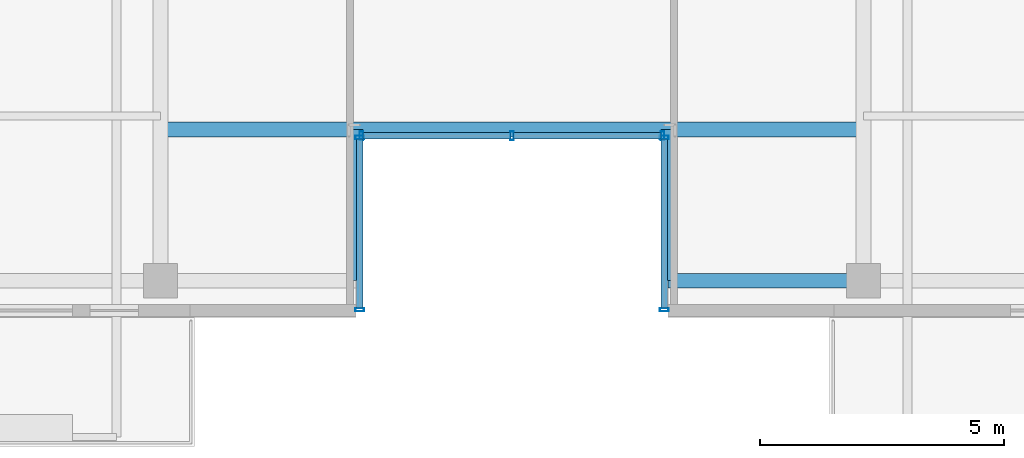
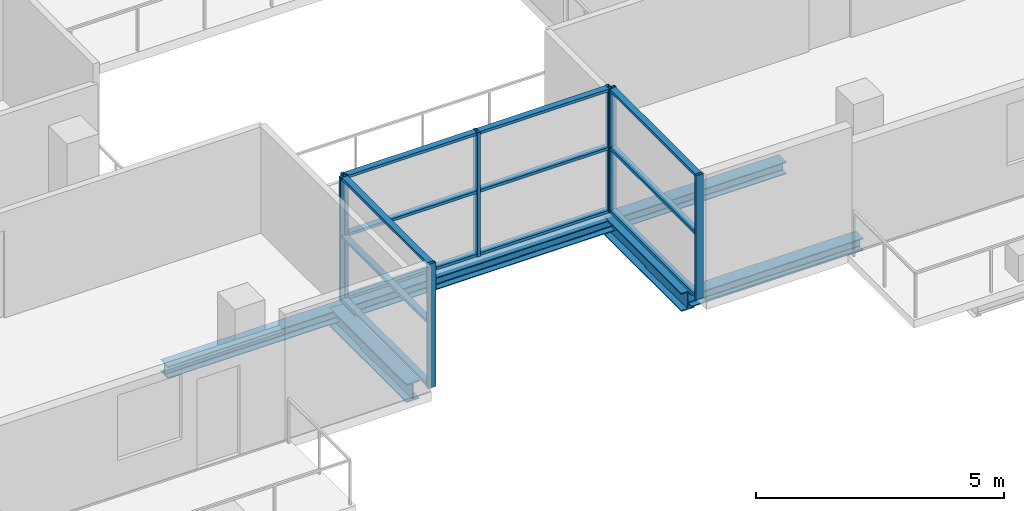
# One storey, part 5 of 22: 19 members, 4 beams, 3 elements without a shape of their own.
"""IFC4 building model written with IfcOpenShell, lengths in metres."""

from ifc_helpers import new_model, si_unit, direction, frame, origin, origin_2d, place, context, subcontext, project, spatial, hollow_rectangle, i_section, extrude, source, transform, mapped, material, layer, layer_set, material_profile, profile_set, type_object, element, aggregate, save


model = new_model("IFC4")

# Units and contexts
model_context = context("Model", 3, precision=1e-05, world=origin(), true_north=direction((0.0, 1.0)))
body_context = subcontext(model_context, "Body", "Model", "MODEL_VIEW")
ifc_project = project(units=[si_unit("LENGTHUNIT", "METRE"), si_unit("AREAUNIT", "SQUARE_METRE"), si_unit("VOLUMEUNIT", "CUBIC_METRE"), si_unit("PLANEANGLEUNIT", "RADIAN"), si_unit("MASSUNIT", "GRAM", prefix="KILO")], contexts=[model_context])

# Site, building, storey
site_placement = place(None, origin())
site = spatial("IfcSite", under=ifc_project, at=site_placement, CompositionType="ELEMENT")
building_placement = place(site_placement, origin())
building = spatial("IfcBuilding", under=site, at=building_placement, Name="Zarnakvel Exchange Tower", CompositionType="ELEMENT")
storey_placement = place(building_placement, frame((0.0, 0.0, 251.800048828125)))
storey = spatial("IfcBuildingStorey", under=building, at=storey_placement, Name="L71", CompositionType="ELEMENT", Elevation=251.800048828125)

# Beams
ifc_material_1 = material(Name="Steel S355", Category="steel")
ifc_material_profile_1 = material_profile(ifc_material_1, i_section(OverallWidth=0.300048828125, OverallDepth=0.449951171875, WebThickness=0.013916015625, FlangeThickness=0.02587890625, FilletRadius=0.027099609375, at=origin_2d()))
ifc_profile_set_1 = profile_set([ifc_material_profile_1], Name="Steel S355")
beam_type_1 = type_object("IfcBeamType", Name="G-07", PredefinedType="BEAM", material=ifc_profile_set_1)
for number, where, z_axis, x_axis, name in (
    (1, (-3.199951171875, -16.35009765625, -0.449951171875), (0.0, 1.0, 0.0), (-1.0, 0.0, 0.0), "L71 South Slot West Cheek Beam"),
    (2, (3.199951171875, -16.35009765625, -0.449951171875), (0.0, 1.0, 0.0), (-1.0, 0.0, 0.0), "L71 South Slot East Cheek Beam"),
):
    element("IfcBeam", number, at=place(storey_placement, frame(where, z_axis=z_axis, x_axis=x_axis)), inside=storey, type_object=beam_type_1, Name=name, PredefinedType="BEAM", context=body_context, shape_type="SweptSolid", body=[
        extrude(i_section(OverallWidth=0.300048828125, OverallDepth=0.449951171875, WebThickness=0.013916015625, FlangeThickness=0.02587890625, FilletRadius=0.027099609375, at=origin_2d()), origin(), (0.0, 0.0, 1.0), 3.10009765625),
    ])
ifc_material_profile_2 = material_profile(ifc_material_1, i_section(OverallWidth=0.300048828125, OverallDepth=0.300048828125, WebThickness=0.010986328125, FlangeThickness=0.01904296875, FilletRadius=0.027099609375, at=origin_2d()))
ifc_profile_set_2 = profile_set([ifc_material_profile_2], Name="Steel S355")
beam_type_2 = type_object("IfcBeamType", Name="SP-03", PredefinedType="SPANDREL", material=ifc_profile_set_2)
beam_1_placement = place(storey_placement, frame((3.199951171875, -16.35009765625, -0.375), z_axis=(1.0, 0.0, 0.0), x_axis=(0.0, 1.0, 0.0)))
element("IfcBeam", 3, at=beam_1_placement, inside=storey, type_object=beam_type_2, Name="L71 South Slot East Jamb Spandrel", PredefinedType="SPANDREL", context=body_context, shape_type="SweptSolid", body=[
    extrude(i_section(OverallWidth=0.300048828125, OverallDepth=0.300048828125, WebThickness=0.010986328125, FlangeThickness=0.01904296875, FilletRadius=0.027099609375, at=origin_2d()), origin(), (0.0, 0.0, 1.0), 4.0),
])
beam_2_placement = place(storey_placement, frame((-7.199951171875, -13.25, -0.375), z_axis=(1.0, 0.0, 0.0), x_axis=(0.0, 1.0, 0.0)))
element("IfcBeam", 4, at=beam_2_placement, inside=storey, type_object=beam_type_2, Name="L71 South Slot Head Trimmer Girder", PredefinedType="SPANDREL", context=body_context, shape_type="SweptSolid", body=[
    extrude(i_section(OverallWidth=0.300048828125, OverallDepth=0.300048828125, WebThickness=0.010986328125, FlangeThickness=0.01904296875, FilletRadius=0.027099609375, at=origin_2d()), origin(), (0.0, 0.0, 1.0), 14.39990234375),
])

# Curtain wall, members
ifc_material_2 = material(Name="Architectural Bronze Anodised Aluminium", Category="aluminium")
ifc_layer = layer(ifc_material_2, 0.179931640625)
ifc_layer_set = layer_set([ifc_layer], Name="Architectural Bronze Anodised Aluminium")
curtain_wall_type = type_object("IfcCurtainWallType", Name="CW-05", PredefinedType="NOTDEFINED", material=ifc_layer_set)
curtain_wall_1_placement = place(storey_placement, origin())
curtain_wall_1 = element("IfcCurtainWall", 5, at=curtain_wall_1_placement, inside=storey, type_object=curtain_wall_type, Name="L71 Curtain Wall CW-L71-SLW (CW-05)", PredefinedType="NOTDEFINED")
ifc_material_profile_3 = material_profile(ifc_material_2, hollow_rectangle(XDim=0.139892578125, YDim=0.070068359375, WallThickness=0.00390625, at=origin_2d()))
ifc_profile_set_3 = profile_set([ifc_material_profile_3], Name="Architectural Bronze Anodised Aluminium")
member_type_1 = type_object("IfcMemberType", Name="CWT-05", PredefinedType="USERDEFINED", material=ifc_profile_set_3)
shared_shape_1 = source(origin(), body_context, "Body", "SweptSolid", [
    extrude(hollow_rectangle(XDim=0.139892578125, YDim=0.070068359375, WallThickness=0.00390625, at=origin_2d()), origin(), (0.0, 0.0, 1.0), 3.4599609375),
])
member_1_placement = place(storey_placement, frame((-3.1201171875, -16.909912109375, 0.034912109375), z_axis=(0.0, 1.0, 0.0), x_axis=(-1.0, 0.0, 0.0)))
member_1 = element("IfcMember", 6, at=member_1_placement, type_object=member_type_1, Name="CW-05 transom 1.1", ObjectType="TRANSOM", PredefinedType="USERDEFINED", context=body_context, shape_type="MappedRepresentation", body=[
    mapped(shared_shape_1, transform((0.0, 0.0, 0.0), x_axis=(1.0, 0.0, 0.0), y_axis=(0.0, 1.0, 0.0), z_axis=(0.0, 0.0, 1.0), scale=1.0)),
])
member_2_placement = place(storey_placement, frame((-3.1201171875, -16.909912109375, 1.588623046875), z_axis=(0.0, 1.0, 0.0), x_axis=(-1.0, 0.0, 0.0)))
member_2 = element("IfcMember", 7, at=member_2_placement, type_object=member_type_1, Name="CW-05 transom 1.2", ObjectType="TRANSOM", PredefinedType="USERDEFINED", context=body_context, shape_type="MappedRepresentation", body=[
    mapped(shared_shape_1, transform((0.0, 0.0, 0.0), x_axis=(1.0, 0.0, 0.0), y_axis=(0.0, 1.0, 0.0), z_axis=(0.0, 0.0, 1.0), scale=1.0)),
])
member_3_placement = place(storey_placement, frame((-3.1201171875, -16.909912109375, 3.02001953125), z_axis=(0.0, 1.0, 0.0), x_axis=(-1.0, 0.0, 0.0)))
member_3 = element("IfcMember", 8, at=member_3_placement, type_object=member_type_1, Name="CW-05 transom 1.3", ObjectType="TRANSOM", PredefinedType="USERDEFINED", context=body_context, shape_type="MappedRepresentation", body=[
    mapped(shared_shape_1, transform((0.0, 0.0, 0.0), x_axis=(1.0, 0.0, 0.0), y_axis=(0.0, 1.0, 0.0), z_axis=(0.0, 0.0, 1.0), scale=1.0)),
])

curtain_wall_2_placement = place(storey_placement, origin())
curtain_wall_2 = element("IfcCurtainWall", 9, at=curtain_wall_2_placement, inside=storey, type_object=curtain_wall_type, Name="L71 Curtain Wall CW-L71-SLE (CW-05)", PredefinedType="NOTDEFINED")
member_4_placement = place(storey_placement, frame((3.1201171875, -13.449951171875, 0.034912109375), z_axis=(0.0, -1.0, 0.0), x_axis=(1.0, 0.0, 0.0)))
member_4 = element("IfcMember", 10, at=member_4_placement, type_object=member_type_1, Name="CW-05 transom 1.1", ObjectType="TRANSOM", PredefinedType="USERDEFINED", context=body_context, shape_type="MappedRepresentation", body=[
    mapped(shared_shape_1, transform((0.0, 0.0, 0.0), x_axis=(1.0, 0.0, 0.0), y_axis=(0.0, 1.0, 0.0), z_axis=(0.0, 0.0, 1.0), scale=1.0)),
])
member_5_placement = place(storey_placement, frame((3.1201171875, -13.449951171875, 1.588623046875), z_axis=(0.0, -1.0, 0.0), x_axis=(1.0, 0.0, 0.0)))
member_5 = element("IfcMember", 11, at=member_5_placement, type_object=member_type_1, Name="CW-05 transom 1.2", ObjectType="TRANSOM", PredefinedType="USERDEFINED", context=body_context, shape_type="MappedRepresentation", body=[
    mapped(shared_shape_1, transform((0.0, 0.0, 0.0), x_axis=(1.0, 0.0, 0.0), y_axis=(0.0, 1.0, 0.0), z_axis=(0.0, 0.0, 1.0), scale=1.0)),
])
member_6_placement = place(storey_placement, frame((3.1201171875, -13.449951171875, 3.02001953125), z_axis=(0.0, -1.0, 0.0), x_axis=(1.0, 0.0, 0.0)))
member_6 = element("IfcMember", 12, at=member_6_placement, type_object=member_type_1, Name="CW-05 transom 1.3", ObjectType="TRANSOM", PredefinedType="USERDEFINED", context=body_context, shape_type="MappedRepresentation", body=[
    mapped(shared_shape_1, transform((0.0, 0.0, 0.0), x_axis=(1.0, 0.0, 0.0), y_axis=(0.0, 1.0, 0.0), z_axis=(0.0, 0.0, 1.0), scale=1.0)),
])

curtain_wall_3_placement = place(storey_placement, origin())
curtain_wall_3 = element("IfcCurtainWall", 13, at=curtain_wall_3_placement, inside=storey, type_object=curtain_wall_type, Name="L71 Curtain Wall CW-L71-SLB (CW-05)", PredefinedType="NOTDEFINED")
shared_shape_2 = source(origin(), body_context, "Body", "SweptSolid", [
    extrude(hollow_rectangle(XDim=0.139892578125, YDim=0.070068359375, WallThickness=0.00390625, at=origin_2d()), origin(), (0.0, 0.0, 1.0), 3.01513671875),
])
member_7_placement = place(storey_placement, frame((-3.050048828125, -13.3798828125, 0.034912109375), z_axis=(1.0, 0.0, 0.0), x_axis=(0.0, 1.0, 0.0)))
member_7 = element("IfcMember", 14, at=member_7_placement, type_object=member_type_1, Name="CW-05 transom 1.1", ObjectType="TRANSOM", PredefinedType="USERDEFINED", context=body_context, shape_type="MappedRepresentation", body=[
    mapped(shared_shape_2, transform((0.0, 0.0, 0.0), x_axis=(1.0, 0.0, 0.0), y_axis=(0.0, 1.0, 0.0), z_axis=(0.0, 0.0, 1.0), scale=1.0)),
])
member_8_placement = place(storey_placement, frame((-3.050048828125, -13.3798828125, 1.588623046875), z_axis=(1.0, 0.0, 0.0), x_axis=(0.0, 1.0, 0.0)))
member_8 = element("IfcMember", 15, at=member_8_placement, type_object=member_type_1, Name="CW-05 transom 1.2", ObjectType="TRANSOM", PredefinedType="USERDEFINED", context=body_context, shape_type="MappedRepresentation", body=[
    mapped(shared_shape_2, transform((0.0, 0.0, 0.0), x_axis=(1.0, 0.0, 0.0), y_axis=(0.0, 1.0, 0.0), z_axis=(0.0, 0.0, 1.0), scale=1.0)),
])
member_9_placement = place(storey_placement, frame((-3.050048828125, -13.3798828125, 3.02001953125), z_axis=(1.0, 0.0, 0.0), x_axis=(0.0, 1.0, 0.0)))
member_9 = element("IfcMember", 16, at=member_9_placement, type_object=member_type_1, Name="CW-05 transom 1.3", ObjectType="TRANSOM", PredefinedType="USERDEFINED", context=body_context, shape_type="MappedRepresentation", body=[
    mapped(shared_shape_2, transform((0.0, 0.0, 0.0), x_axis=(1.0, 0.0, 0.0), y_axis=(0.0, 1.0, 0.0), z_axis=(0.0, 0.0, 1.0), scale=1.0)),
])
member_10_placement = place(storey_placement, frame((0.034912109375, -13.3798828125, 0.034912109375), z_axis=(1.0, 0.0, 0.0), x_axis=(0.0, 1.0, 0.0)))
member_10 = element("IfcMember", 17, at=member_10_placement, type_object=member_type_1, Name="CW-05 transom 2.1", ObjectType="TRANSOM", PredefinedType="USERDEFINED", context=body_context, shape_type="MappedRepresentation", body=[
    mapped(shared_shape_2, transform((0.0, 0.0, 0.0), x_axis=(1.0, 0.0, 0.0), y_axis=(0.0, 1.0, 0.0), z_axis=(0.0, 0.0, 1.0), scale=1.0)),
])
member_11_placement = place(storey_placement, frame((0.034912109375, -13.3798828125, 1.588623046875), z_axis=(1.0, 0.0, 0.0), x_axis=(0.0, 1.0, 0.0)))
member_11 = element("IfcMember", 18, at=member_11_placement, type_object=member_type_1, Name="CW-05 transom 2.2", ObjectType="TRANSOM", PredefinedType="USERDEFINED", context=body_context, shape_type="MappedRepresentation", body=[
    mapped(shared_shape_2, transform((0.0, 0.0, 0.0), x_axis=(1.0, 0.0, 0.0), y_axis=(0.0, 1.0, 0.0), z_axis=(0.0, 0.0, 1.0), scale=1.0)),
])
member_12_placement = place(storey_placement, frame((0.034912109375, -13.3798828125, 3.02001953125), z_axis=(1.0, 0.0, 0.0), x_axis=(0.0, 1.0, 0.0)))
member_12 = element("IfcMember", 19, at=member_12_placement, type_object=member_type_1, Name="CW-05 transom 2.3", ObjectType="TRANSOM", PredefinedType="USERDEFINED", context=body_context, shape_type="MappedRepresentation", body=[
    mapped(shared_shape_2, transform((0.0, 0.0, 0.0), x_axis=(1.0, 0.0, 0.0), y_axis=(0.0, 1.0, 0.0), z_axis=(0.0, 0.0, 1.0), scale=1.0)),
])

# Member
ifc_material_profile_4 = material_profile(ifc_material_2, hollow_rectangle(XDim=0.179931640625, YDim=0.070068359375, WallThickness=0.00390625, at=origin_2d()))
ifc_profile_set_4 = profile_set([ifc_material_profile_4], Name="Architectural Bronze Anodised Aluminium")
member_type_2 = type_object("IfcMemberType", Name="CWM-05", PredefinedType="MULLION", material=ifc_profile_set_4)
shared_shape_3 = source(origin(), body_context, "Body", "SweptSolid", [
    extrude(hollow_rectangle(XDim=0.179931640625, YDim=0.070068359375, WallThickness=0.00390625, at=origin_2d()), origin(), (0.0, 0.0, 1.0), 3.054931640625),
])
member_13_placement = place(storey_placement, frame((-3.1201171875, -16.945068359375, 0.0), z_axis=(0.0, 0.0, 1.0), x_axis=(-1.0, 0.0, 0.0)))
member_13 = element("IfcMember", 20, at=member_13_placement, type_object=member_type_2, Name="CW-05 mullion 1", PredefinedType="MULLION", context=body_context, shape_type="MappedRepresentation", body=[
    mapped(shared_shape_3, transform((0.0, 0.0, 0.0), x_axis=(1.0, 0.0, 0.0), y_axis=(0.0, 1.0, 0.0), z_axis=(0.0, 0.0, 1.0), scale=1.0)),
])

member_14_placement = place(storey_placement, frame((-3.1201171875, -13.4150390625, 0.0), z_axis=(0.0, 0.0, 1.0), x_axis=(-1.0, 0.0, 0.0)))
member_14 = element("IfcMember", 21, at=member_14_placement, type_object=member_type_2, Name="CW-05 mullion 2", PredefinedType="MULLION", context=body_context, shape_type="MappedRepresentation", body=[
    mapped(shared_shape_3, transform((0.0, 0.0, 0.0), x_axis=(1.0, 0.0, 0.0), y_axis=(0.0, 1.0, 0.0), z_axis=(0.0, 0.0, 1.0), scale=1.0)),
])

aggregate(curtain_wall_1, [member_13, member_14, member_1, member_2, member_3])

member_15_placement = place(storey_placement, frame((-3.0849609375, -13.3798828125, 0.0), z_axis=(0.0, 0.0, 1.0), x_axis=(0.0, 1.0, 0.0)))
member_15 = element("IfcMember", 22, at=member_15_placement, type_object=member_type_2, Name="CW-05 mullion 1", PredefinedType="MULLION", context=body_context, shape_type="MappedRepresentation", body=[
    mapped(shared_shape_3, transform((0.0, 0.0, 0.0), x_axis=(1.0, 0.0, 0.0), y_axis=(0.0, 1.0, 0.0), z_axis=(0.0, 0.0, 1.0), scale=1.0)),
])

member_16_placement = place(storey_placement, frame((0.0, -13.3798828125, 0.0), z_axis=(0.0, 0.0, 1.0), x_axis=(0.0, 1.0, 0.0)))
member_16 = element("IfcMember", 23, at=member_16_placement, type_object=member_type_2, Name="CW-05 mullion 2", PredefinedType="MULLION", context=body_context, shape_type="MappedRepresentation", body=[
    mapped(shared_shape_3, transform((0.0, 0.0, 0.0), x_axis=(1.0, 0.0, 0.0), y_axis=(0.0, 1.0, 0.0), z_axis=(0.0, 0.0, 1.0), scale=1.0)),
])

member_17_placement = place(storey_placement, frame((3.0849609375, -13.3798828125, 0.0), z_axis=(0.0, 0.0, 1.0), x_axis=(0.0, 1.0, 0.0)))
member_17 = element("IfcMember", 24, at=member_17_placement, type_object=member_type_2, Name="CW-05 mullion 3", PredefinedType="MULLION", context=body_context, shape_type="MappedRepresentation", body=[
    mapped(shared_shape_3, transform((0.0, 0.0, 0.0), x_axis=(1.0, 0.0, 0.0), y_axis=(0.0, 1.0, 0.0), z_axis=(0.0, 0.0, 1.0), scale=1.0)),
])

aggregate(curtain_wall_3, [member_15, member_16, member_17, member_7, member_8, member_9, member_10, member_11, member_12])

member_18_placement = place(storey_placement, frame((3.1201171875, -13.4150390625, 0.0), z_axis=(0.0, 0.0, 1.0), x_axis=(1.0, 0.0, 0.0)))
member_18 = element("IfcMember", 25, at=member_18_placement, type_object=member_type_2, Name="CW-05 mullion 1", PredefinedType="MULLION", context=body_context, shape_type="MappedRepresentation", body=[
    mapped(shared_shape_3, transform((0.0, 0.0, 0.0), x_axis=(1.0, 0.0, 0.0), y_axis=(0.0, 1.0, 0.0), z_axis=(0.0, 0.0, 1.0), scale=1.0)),
])

member_19_placement = place(storey_placement, frame((3.1201171875, -16.945068359375, 0.0), z_axis=(0.0, 0.0, 1.0), x_axis=(1.0, 0.0, 0.0)))
member_19 = element("IfcMember", 26, at=member_19_placement, type_object=member_type_2, Name="CW-05 mullion 2", PredefinedType="MULLION", context=body_context, shape_type="MappedRepresentation", body=[
    mapped(shared_shape_3, transform((0.0, 0.0, 0.0), x_axis=(1.0, 0.0, 0.0), y_axis=(0.0, 1.0, 0.0), z_axis=(0.0, 0.0, 1.0), scale=1.0)),
])

aggregate(curtain_wall_2, [member_18, member_19, member_4, member_5, member_6])

save(model, "model.ifc")
